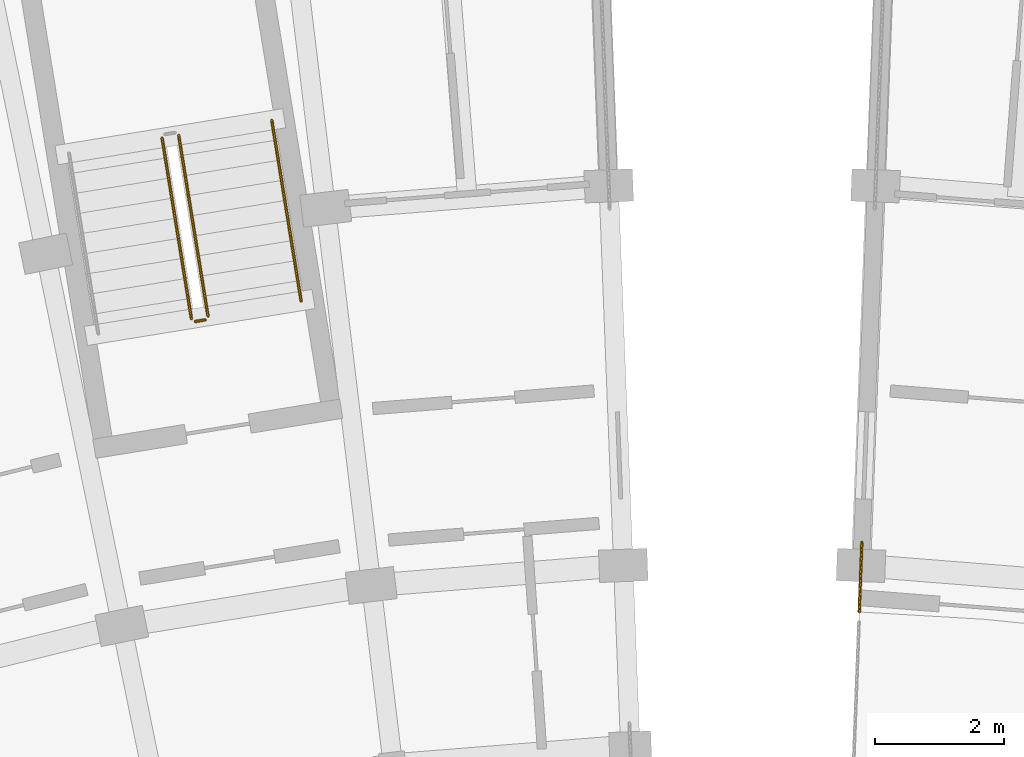
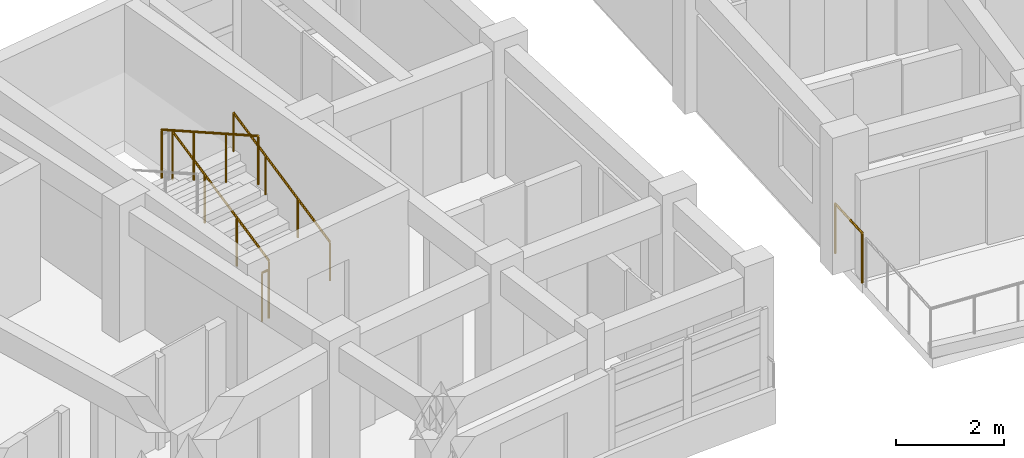
# One storey, part 32 of 38: 5 railings.
"""IFC4 building model written with IfcOpenShell, lengths in metres."""

from ifc_helpers import new_model, si_unit, direction, frame, origin, origin_2d, place, context, subcontext, project, spatial, circle, extrude, material, type_object, element, save


model = new_model("IFC4")

# Units and contexts
model_context = context("Model", 3, precision=1e-05, world=origin(), true_north=direction((0.0, 1.0)))
body_context = subcontext(model_context, "Body", "Model", "MODEL_VIEW")
ifc_project = project(units=[si_unit("LENGTHUNIT", "METRE"), si_unit("AREAUNIT", "SQUARE_METRE"), si_unit("VOLUMEUNIT", "CUBIC_METRE"), si_unit("PLANEANGLEUNIT", "RADIAN"), si_unit("MASSUNIT", "GRAM", prefix="KILO")], contexts=[model_context])

# Site, building, storey
site_placement = place(None, origin())
site = spatial("IfcSite", under=ifc_project, at=site_placement, CompositionType="ELEMENT")
building_placement = place(site_placement, origin())
building = spatial("IfcBuilding", under=site, at=building_placement, Name="Zimvara Arc Housing Community", CompositionType="ELEMENT")
storey_placement = place(building_placement, frame((0.0, 0.0, 29.800048828125)))
storey = spatial("IfcBuildingStorey", under=building, at=storey_placement, Name="L09", CompositionType="ELEMENT", Elevation=29.800048828125)

# Railings
ifc_material_1 = material(Name="Anodised Aluminium AW-6063", Category="aluminium")
railing_type_1 = type_object("IfcRailingType", Name="RLG-BAL-1120", PredefinedType="BALUSTRADE", material=ifc_material_1)
railing_1_placement = place(storey_placement, frame((36.732421875, 96.243896484375, 0.155029296875)))
element("IfcRailing", 1, at=railing_1_placement, inside=storey, type_object=railing_type_1, Name="L09 ST-A2 stair guard 1", PredefinedType="BALUSTRADE", context=body_context, shape_type="SweptSolid", body=[
    extrude(circle(Radius=0.02392578125, at=origin_2d()), frame((0.0, 0.0, 1.09619140625), z_axis=(-0.143721784145, 0.885666177347, 0.441519502474), x_axis=(-0.987087819028, -0.160180016, 0.0)), (0.0, 0.0, 1.0), 3.15966796875),
    extrude(circle(Radius=0.02099609375, at=origin_2d()), origin(), (0.0, 0.0, 1.0), 1.072021484375),
    extrude(circle(Radius=0.02099609375, at=origin_2d()), frame((-0.1513671875, 0.932861328125, 0.465087890625)), (0.0, 0.0, 1.0), 1.072021484375),
    extrude(circle(Radius=0.02099609375, at=origin_2d()), frame((-0.302734375, 1.865478515625, 0.929931640625)), (0.0, 0.0, 1.0), 1.072021484375),
    extrude(circle(Radius=0.02099609375, at=origin_2d()), frame((-0.4541015625, 2.79833984375, 1.39501953125)), (0.0, 0.0, 1.0), 1.072021484375),
])
railing_2_placement = place(storey_placement, frame((36.021728515625, 99.00048828125, 1.704833984375)))
element("IfcRailing", 2, at=railing_2_placement, inside=storey, type_object=railing_type_1, Name="L09 ST-A2 stair guard 3", PredefinedType="BALUSTRADE", context=body_context, shape_type="SweptSolid", body=[
    extrude(circle(Radius=0.02392578125, at=origin_2d()), frame((0.0, 0.0, 1.09619140625), z_axis=(0.143721784145, -0.885666177347, 0.441519502474), x_axis=(0.987087819028, 0.160180016, 0.0)), (0.0, 0.0, 1.0), 3.15966796875),
    extrude(circle(Radius=0.02099609375, at=origin_2d()), origin(), (0.0, 0.0, 1.0), 1.072021484375),
    extrude(circle(Radius=0.02099609375, at=origin_2d()), frame((0.1513671875, -0.932861328125, 0.465087890625)), (0.0, 0.0, 1.0), 1.072021484375),
    extrude(circle(Radius=0.02099609375, at=origin_2d()), frame((0.302734375, -1.865478515625, 0.929931640625)), (0.0, 0.0, 1.0), 1.072021484375),
    extrude(circle(Radius=0.02099609375, at=origin_2d()), frame((0.4541015625, -2.79833984375, 1.39501953125)), (0.0, 0.0, 1.0), 1.072021484375),
])
railing_3_placement = place(storey_placement, frame((36.691162109375, 96.1865234375, 0.0)))
element("IfcRailing", 3, at=railing_3_placement, inside=storey, type_object=railing_type_1, Name="L09 ST-A2 stair guard 4", PredefinedType="BALUSTRADE", context=body_context, shape_type="SweptSolid", body=[
    extrude(circle(Radius=0.02392578125, at=origin_2d()), frame((0.0, 0.0, 1.09619140625), z_axis=(-0.987085924886, -0.160191687964, 0.0), x_axis=(0.160191687964, -0.987085924886, 0.0)), (0.0, 0.0, 1.0), 0.159912109375),
    extrude(circle(Radius=0.02099609375, at=origin_2d()), origin(), (0.0, 0.0, 1.0), 1.072021484375),
    extrude(circle(Radius=0.02099609375, at=origin_2d()), frame((-0.157958984375, -0.025634765625, 0.0)), (0.0, 0.0, 1.0), 1.072021484375),
])
ifc_material_2 = material(Name="Anodised Aluminium AW-6063", Category="aluminium")
railing_type_2 = type_object("IfcRailingType", Name="RLG-BAL-1150", PredefinedType="BALUSTRADE", material=ifc_material_2)
railing_4_placement = place(storey_placement, frame((46.81201171875, 91.665283203125, 0.0)))
element("IfcRailing", 4, at=railing_4_placement, inside=storey, type_object=railing_type_2, Name="rlg:blkB:L09:gable_in:g0", PredefinedType="BALUSTRADE", context=body_context, shape_type="SweptSolid", body=[
    extrude(circle(Radius=0.02392578125, at=origin_2d()), frame((0.0, 0.0, 1.1259765625), z_axis=(0.038207375916, 0.99926983164, 0.0), x_axis=(-0.99926983164, 0.038207375916, 0.0)), (0.0, 0.0, 1.0), 1.079833984375),
    extrude(circle(Radius=0.02099609375, at=origin_2d()), origin(), (0.0, 0.0, 1.0), 1.101806640625),
    extrude(circle(Radius=0.02099609375, at=origin_2d()), frame((0.041259765625, 1.0791015625, 0.0)), (0.0, 0.0, 1.0), 1.101806640625),
])
ifc_material_3 = material(Name="Anodised Aluminium AW-6063", Category="aluminium")
railing_type_3 = type_object("IfcRailingType", Name="RLG-HND-900", PredefinedType="HANDRAIL", material=ifc_material_3)
railing_5_placement = place(storey_placement, frame((38.173583984375, 96.477783203125, 0.155029296875)))
element("IfcRailing", 5, at=railing_5_placement, inside=storey, type_object=railing_type_3, Name="L09 ST-A2 stair handrail 1", PredefinedType="HANDRAIL", context=body_context, shape_type="SweptSolid", body=[
    extrude(circle(Radius=0.02392578125, at=origin_2d()), frame((0.0, 0.0, 0.8759765625), z_axis=(-0.143721784145, 0.885666177347, 0.441519502474), x_axis=(-0.987087819028, -0.160180016, 0.0)), (0.0, 0.0, 1.0), 3.15966796875),
    extrude(circle(Radius=0.02099609375, at=origin_2d()), origin(), (0.0, 0.0, 1.0), 0.851806640625),
    extrude(circle(Radius=0.02099609375, at=origin_2d()), frame((-0.1513671875, 0.932861328125, 0.465087890625)), (0.0, 0.0, 1.0), 0.851806640625),
    extrude(circle(Radius=0.02099609375, at=origin_2d()), frame((-0.302734375, 1.865478515625, 0.929931640625)), (0.0, 0.0, 1.0), 0.851806640625),
    extrude(circle(Radius=0.02099609375, at=origin_2d()), frame((-0.4541015625, 2.79833984375, 1.39501953125)), (0.0, 0.0, 1.0), 0.851806640625),
])

save(model, "model.ifc")
